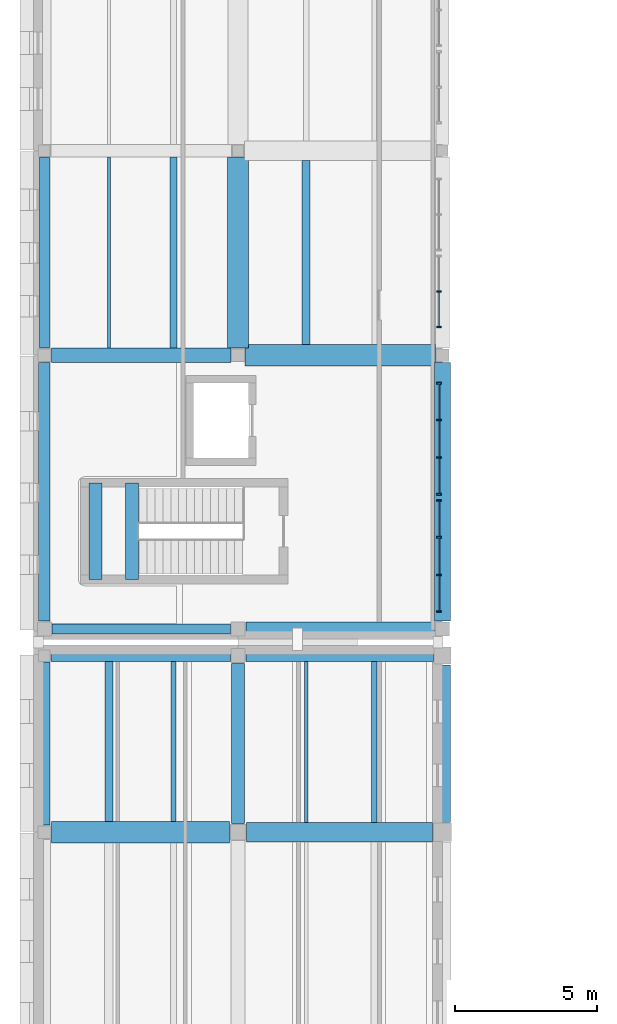
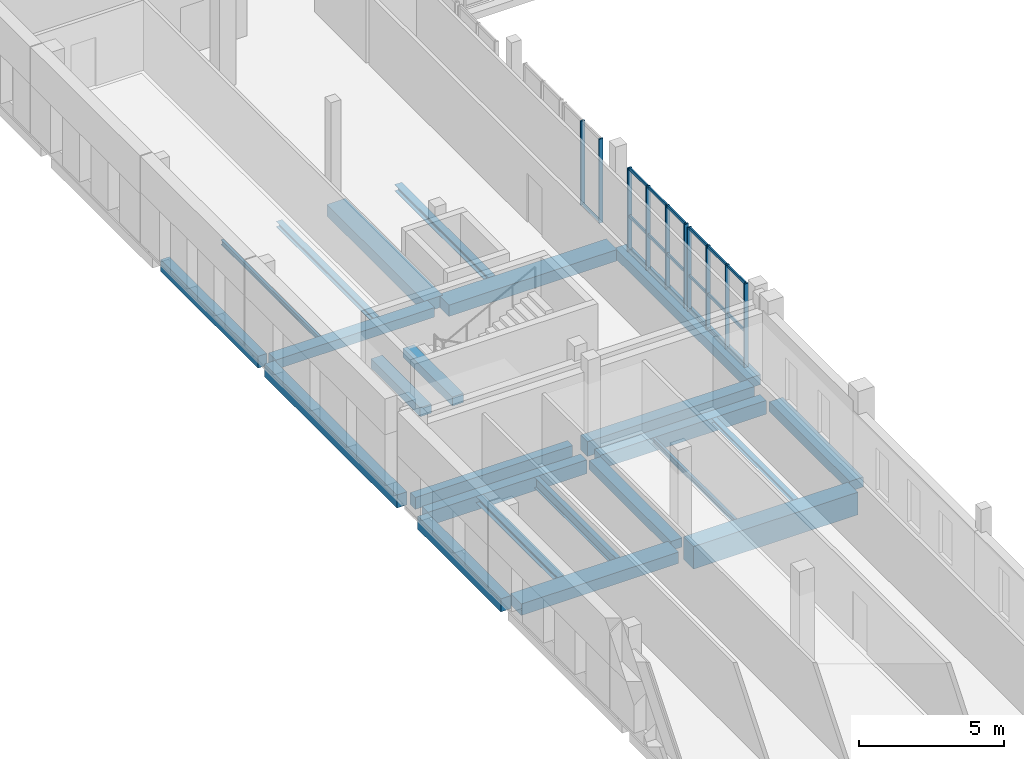
# One storey, part 22 of 76: 29 members, 24 beams, 3 elements without a shape of their own.
"""IFC4 building model written with IfcOpenShell, lengths in metres."""

from ifc_helpers import new_model, si_unit, direction, frame, origin, origin_2d, place, context, subcontext, project, spatial, rectangle, i_section, extrude, material, layer, layer_set, material_profile, profile_set, type_object, element, aggregate, save


model = new_model("IFC4")

# Units and contexts
model_context = context("Model", 3, precision=1e-05, world=origin(), true_north=direction((0.0, 1.0)))
body_context = subcontext(model_context, "Body", "Model", "MODEL_VIEW")
ifc_project = project(units=[si_unit("LENGTHUNIT", "METRE"), si_unit("AREAUNIT", "SQUARE_METRE"), si_unit("VOLUMEUNIT", "CUBIC_METRE"), si_unit("PLANEANGLEUNIT", "RADIAN"), si_unit("MASSUNIT", "GRAM", prefix="KILO")], contexts=[model_context])

# Site, building, storey
site_placement = place(None, origin())
site = spatial("IfcSite", under=ifc_project, at=site_placement, CompositionType="ELEMENT")
building_placement = place(site_placement, origin())
building = spatial("IfcBuilding", under=site, at=building_placement, Name="Vardoun Plaza Health Centre", CompositionType="ELEMENT")
storey_placement = place(building_placement, frame((0.0, 0.0, 4.5)))
storey = spatial("IfcBuildingStorey", under=building, at=storey_placement, Name="L01", CompositionType="ELEMENT", Elevation=4.5)

# Beams
ifc_material_1 = material(Name="Concrete C35/45", Category="concrete")
ifc_material_profile_1 = material_profile(ifc_material_1, rectangle(XDim=0.35009765625, YDim=0.5, at=origin_2d()), Name="RC-BM 350x500")
ifc_profile_set_1 = profile_set([ifc_material_profile_1], Name="Concrete C35/45")
beam_type_1 = type_object("IfcBeamType", Name="B-08", PredefinedType="SPANDREL", material=ifc_profile_set_1)
beam_1_placement = place(storey_placement, frame((5.155029296875, 77.06005859375, -0.514892578125), z_axis=(1.0, 0.0, 0.0), x_axis=(0.0, 1.0, 0.0)))
element("IfcBeam", 1, at=beam_1_placement, inside=storey, type_object=beam_type_1, Name="V3 L01 Beam B-V3-L01-X01", PredefinedType="SPANDREL", context=body_context, shape_type="SweptSolid", body=[
    extrude(rectangle(XDim=0.35009765625, YDim=0.5, at=origin_2d()), origin(), (0.0, 0.0, 1.0), 6.27001953125),
])
beam_2_placement = place(storey_placement, frame((4.8798828125, 86.949951171875, -0.514892578125), z_axis=(0.0, 1.0, 0.0), x_axis=(-1.0, 0.0, 0.0)))
element("IfcBeam", 2, at=beam_2_placement, inside=storey, type_object=beam_type_1, Name="V3 L01 Beam B-V3-L01-Y26", PredefinedType="SPANDREL", context=body_context, shape_type="SweptSolid", body=[
    extrude(rectangle(XDim=0.35009765625, YDim=0.5, at=origin_2d()), origin(), (0.0, 0.0, 1.0), 6.72509765625),
])
ifc_material_2 = material(Name="Concrete C35/45", Category="concrete")
ifc_material_profile_2 = material_profile(ifc_material_2, rectangle(XDim=0.39990234375, YDim=0.550048828125, at=origin_2d()), Name="RC-BM 400x550")
ifc_profile_set_2 = profile_set([ifc_material_profile_2], Name="Concrete C35/45")
beam_type_2 = type_object("IfcBeamType", Name="B-09", PredefinedType="SPANDREL", material=ifc_profile_set_2)
beam_3_placement = place(storey_placement, frame((4.8798828125, 70.150146484375, -0.554931640625), z_axis=(0.0, 1.0, 0.0), x_axis=(-1.0, 0.0, 0.0)))
element("IfcBeam", 3, at=beam_3_placement, inside=storey, type_object=beam_type_2, Name="V2 L01 Beam B-V2-L01-Y41", PredefinedType="SPANDREL", context=body_context, shape_type="SweptSolid", body=[
    extrude(rectangle(XDim=0.39990234375, YDim=0.550048828125, at=origin_2d()), origin(), (0.0, 0.0, 1.0), 5.744873046875),
])
beam_4_placement = place(storey_placement, frame((4.8798828125, 77.3349609375, -0.5400390625), z_axis=(0.0, 1.0, 0.0), x_axis=(-1.0, 0.0, 0.0)))
element("IfcBeam", 4, at=beam_4_placement, inside=storey, type_object=beam_type_2, Name="V3 L01 Beam B-V3-L01-Y25", PredefinedType="SPANDREL", context=body_context, shape_type="SweptSolid", body=[
    extrude(rectangle(XDim=0.39990234375, YDim=0.550048828125, at=origin_2d()), origin(), (0.0, 0.0, 1.0), 9.114990234375),
])
ifc_material_3 = material(Name="Concrete C35/45", Category="concrete")
ifc_material_profile_3 = material_profile(ifc_material_3, rectangle(XDim=0.419921875, YDim=0.580078125, at=origin_2d()), Name="RC-BM 420x580")
ifc_profile_set_3 = profile_set([ifc_material_profile_3], Name="Concrete C35/45")
beam_type_3 = type_object("IfcBeamType", Name="B-10", PredefinedType="SPANDREL", material=ifc_profile_set_3)
beam_5_placement = place(storey_placement, frame((5.10498046875, 76.1201171875, -0.570068359375), z_axis=(1.0, 0.0, 0.0), x_axis=(0.0, 1.0, 0.0)))
element("IfcBeam", 5, at=beam_5_placement, inside=storey, type_object=beam_type_3, Name="V2 L01 Beam B-V2-L01-X10", PredefinedType="SPANDREL", context=body_context, shape_type="SweptSolid", body=[
    extrude(rectangle(XDim=0.419921875, YDim=0.580078125, at=origin_2d()), origin(), (0.0, 0.0, 1.0), 6.320068359375),
])
beam_6_placement = place(storey_placement, frame((11.97509765625, 76.1201171875, -0.570068359375), z_axis=(1.0, 0.0, 0.0), x_axis=(0.0, 1.0, 0.0)))
element("IfcBeam", 6, at=beam_6_placement, inside=storey, type_object=beam_type_3, Name="V2 L01 Beam B-V2-L01-X20", PredefinedType="SPANDREL", context=body_context, shape_type="SweptSolid", body=[
    extrude(rectangle(XDim=0.419921875, YDim=0.580078125, at=origin_2d()), origin(), (0.0, 0.0, 1.0), 6.599853515625),
])
ifc_material_4 = material(Name="Concrete C35/45", Category="concrete")
ifc_material_profile_4 = material_profile(ifc_material_4, rectangle(XDim=0.449951171875, YDim=0.3798828125, at=origin_2d()), Name="RC-BM 450x380")
ifc_profile_set_4 = profile_set([ifc_material_profile_4], Name="Concrete C35/45")
beam_type_4 = type_object("IfcBeamType", Name="B-01", PredefinedType="BEAM", material=ifc_profile_set_4)
beam_7_placement = place(storey_placement, frame((11.699951171875, 70.199951171875, -0.469970703125), z_axis=(0.0, 1.0, 0.0), x_axis=(-1.0, 0.0, 0.0)))
element("IfcBeam", 7, at=beam_7_placement, inside=storey, type_object=beam_type_4, Name="V2 L01 Beam B-V2-L01-Y48", PredefinedType="BEAM", context=body_context, shape_type="SweptSolid", body=[
    extrude(rectangle(XDim=0.449951171875, YDim=0.3798828125, at=origin_2d()), origin(), (0.0, 0.0, 1.0), 5.64501953125),
])
for number, where, z_axis, x_axis, name in (
    (8, (6.679931640625, 78.800048828125, 1.7099609375), (0.0, 1.0, 0.0), (-1.0, 0.0, 0.0), "Stair ST-C3-L01 Landing Beam 1"),
    (9, (7.9599609375, 78.800048828125, 1.7099609375), (0.0, 1.0, 0.0), (-1.0, 0.0, 0.0), "Stair ST-C3-L01 Landing Beam 2"),
):
    element("IfcBeam", number, at=place(storey_placement, frame(where, z_axis=z_axis, x_axis=x_axis)), inside=storey, type_object=beam_type_4, Name=name, PredefinedType="BEAM", context=body_context, shape_type="SweptSolid", body=[
        extrude(rectangle(XDim=0.449951171875, YDim=0.3798828125, at=origin_2d()), origin(), (0.0, 0.0, 1.0), 3.39990234375),
    ])
ifc_material_5 = material(Name="Concrete C35/45", Category="concrete")
ifc_material_profile_5 = material_profile(ifc_material_5, rectangle(XDim=0.47998046875, YDim=0.6201171875, at=origin_2d()), Name="RC-BM 480x620")
ifc_profile_set_5 = profile_set([ifc_material_profile_5], Name="Concrete C35/45")
beam_type_5 = type_object("IfcBeamType", Name="B-12", PredefinedType="SPANDREL", material=ifc_profile_set_5)
beam_8_placement = place(storey_placement, frame((11.97509765625, 77.06005859375, -0.574951171875), z_axis=(1.0, 0.0, 0.0), x_axis=(0.0, 1.0, 0.0)))
element("IfcBeam", 10, at=beam_8_placement, inside=storey, type_object=beam_type_5, Name="V3 L01 Beam B-V3-L01-X07", PredefinedType="SPANDREL", context=body_context, shape_type="SweptSolid", body=[
    extrude(rectangle(XDim=0.47998046875, YDim=0.6201171875, at=origin_2d()), origin(), (0.0, 0.0, 1.0), 6.64990234375),
])
ifc_material_6 = material(Name="Concrete C35/45", Category="concrete")
ifc_material_profile_6 = material_profile(ifc_material_6, rectangle(XDim=0.5, YDim=0.39990234375, at=origin_2d()), Name="RC-BM 500x400")
ifc_profile_set_6 = profile_set([ifc_material_profile_6], Name="Concrete C35/45")
beam_type_6 = type_object("IfcBeamType", Name="B-02", PredefinedType="BEAM", material=ifc_profile_set_6)
beam_9_placement = place(storey_placement, frame((5.1298828125, 86.699951171875, -0.465087890625), z_axis=(1.0, 0.0, 0.0), x_axis=(0.0, 1.0, 0.0)))
element("IfcBeam", 11, at=beam_9_placement, inside=storey, type_object=beam_type_6, Name="V3 L01 Beam B-V3-L01-X02", PredefinedType="BEAM", context=body_context, shape_type="SweptSolid", body=[
    extrude(rectangle(XDim=0.5, YDim=0.39990234375, at=origin_2d()), origin(), (0.0, 0.0, 1.0), 6.320068359375),
])
ifc_material_7 = material(Name="Concrete C35/45", Category="concrete")
ifc_material_profile_7 = material_profile(ifc_material_7, rectangle(XDim=0.550048828125, YDim=0.419921875, at=origin_2d()), Name="RC-BM 550x420")
ifc_profile_set_7 = profile_set([ifc_material_profile_7], Name="Concrete C35/45")
beam_type_7 = type_object("IfcBeamType", Name="B-03", PredefinedType="BEAM", material=ifc_profile_set_7)
beam_10_placement = place(storey_placement, frame((18.89990234375, 70.25, -0.489990234375), z_axis=(0.0, 1.0, 0.0), x_axis=(-1.0, 0.0, 0.0)))
element("IfcBeam", 12, at=beam_10_placement, inside=storey, type_object=beam_type_7, Name="V2 L01 Beam B-V2-L01-Y57", PredefinedType="BEAM", context=body_context, shape_type="SweptSolid", body=[
    extrude(rectangle(XDim=0.550048828125, YDim=0.419921875, at=origin_2d()), origin(), (0.0, 0.0, 1.0), 5.544921875),
])
beam_11_placement = place(storey_placement, frame((18.89990234375, 77.3349609375, -0.47509765625), z_axis=(0.0, 1.0, 0.0), x_axis=(-1.0, 0.0, 0.0)))
element("IfcBeam", 13, at=beam_11_placement, inside=storey, type_object=beam_type_7, Name="V3 L01 Beam B-V3-L01-Y34", PredefinedType="BEAM", context=body_context, shape_type="SweptSolid", body=[
    extrude(rectangle(XDim=0.550048828125, YDim=0.419921875, at=origin_2d()), origin(), (0.0, 0.0, 1.0), 9.114990234375),
])
ifc_material_8 = material(Name="Concrete C40/50", Category="concrete")
ifc_material_profile_8 = material_profile(ifc_material_8, rectangle(XDim=0.699951171875, YDim=0.949951171875, at=origin_2d()), Name="RC-BM 700x950")
ifc_profile_set_8 = profile_set([ifc_material_profile_8], Name="Concrete C40/50")
beam_type_8 = type_object("IfcBeamType", Name="B-16", PredefinedType="LINTEL", material=ifc_profile_set_8)
beam_12_placement = place(storey_placement, frame((12.0, 69.900146484375, -0.7548828125), z_axis=(1.0, 0.0, 0.0), x_axis=(0.0, 1.0, 0.0)))
element("IfcBeam", 14, at=beam_12_placement, inside=storey, type_object=beam_type_8, Name="V2 L01 Beam B-V2-L01-X19", PredefinedType="LINTEL", context=body_context, shape_type="SweptSolid", body=[
    extrude(rectangle(XDim=0.699951171875, YDim=0.949951171875, at=origin_2d()), origin(), (0.0, 0.0, 1.0), 6.550048828125),
])
ifc_material_9 = material(Name="Concrete C35/45", Category="concrete")
ifc_material_profile_9 = material_profile(ifc_material_9, rectangle(XDim=0.75, YDim=0.47998046875, at=origin_2d()), Name="RC-BM 750x480")
ifc_profile_set_9 = profile_set([ifc_material_profile_9], Name="Concrete C35/45")
beam_type_9 = type_object("IfcBeamType", Name="B-07", PredefinedType="BEAM", material=ifc_profile_set_9)
beam_13_placement = place(storey_placement, frame((5.1298828125, 69.900146484375, -0.52001953125), z_axis=(1.0, 0.0, 0.0), x_axis=(0.0, 1.0, 0.0)))
element("IfcBeam", 15, at=beam_13_placement, inside=storey, type_object=beam_type_9, Name="V2 L01 Beam B-V2-L01-X09", PredefinedType="BEAM", context=body_context, shape_type="SweptSolid", body=[
    extrude(rectangle(XDim=0.75, YDim=0.47998046875, at=origin_2d()), origin(), (0.0, 0.0, 1.0), 6.27001953125),
])
beam_14_placement = place(storey_placement, frame((11.949951171875, 86.699951171875, -0.5048828125), z_axis=(1.0, 0.0, 0.0), x_axis=(0.0, 1.0, 0.0)))
element("IfcBeam", 16, at=beam_14_placement, inside=storey, type_object=beam_type_9, Name="V3 L01 Beam B-V3-L01-X08", PredefinedType="BEAM", context=body_context, shape_type="SweptSolid", body=[
    extrude(rectangle(XDim=0.75, YDim=0.47998046875, at=origin_2d()), origin(), (0.0, 0.0, 1.0), 6.699951171875),
])
beam_15_placement = place(storey_placement, frame((11.699951171875, 86.949951171875, -0.5048828125), z_axis=(0.0, 1.0, 0.0), x_axis=(-1.0, 0.0, 0.0)))
element("IfcBeam", 17, at=beam_15_placement, inside=storey, type_object=beam_type_9, Name="V3 L01 Beam B-V3-L01-Y30", PredefinedType="BEAM", context=body_context, shape_type="SweptSolid", body=[
    extrude(rectangle(XDim=0.75, YDim=0.47998046875, at=origin_2d()), origin(), (0.0, 0.0, 1.0), 6.72509765625),
])
ifc_material_10 = material(Name="Steel S355J2", Category="steel")
ifc_material_profile_10 = material_profile(ifc_material_10, i_section(OverallWidth=0.199951171875, OverallDepth=0.18994140625, WebThickness=0.006591796875, FlangeThickness=0.010009765625, FilletRadius=0.01806640625, at=origin_2d()), Name="HEA 200")
ifc_profile_set_10 = profile_set([ifc_material_profile_10], Name="Steel S355J2")
beam_type_10 = type_object("IfcBeamType", Name="SB-09", PredefinedType="BEAM", material=ifc_profile_set_10)
beam_16_placement = place(storey_placement, frame((16.500244140625, 70.25, -0.375), z_axis=(0.0, 1.0, 0.0), x_axis=(-1.0, 0.0, 0.0)))
element("IfcBeam", 18, at=beam_16_placement, inside=storey, type_object=beam_type_10, Name="V2 L01 Secondary Floor Beam SJ-V2-L01-28", PredefinedType="BEAM", context=body_context, shape_type="SweptSolid", body=[
    extrude(i_section(OverallWidth=0.199951171875, OverallDepth=0.18994140625, WebThickness=0.006591796875, FlangeThickness=0.010009765625, FilletRadius=0.01806640625, at=origin_2d()), origin(), (0.0, 0.0, 1.0), 5.659912109375),
])
ifc_material_11 = material(Name="Steel S355J2", Category="steel")
ifc_material_profile_11 = material_profile(ifc_material_11, i_section(OverallWidth=0.239990234375, OverallDepth=0.22998046875, WebThickness=0.007568359375, FlangeThickness=0.011962890625, FilletRadius=0.02099609375, at=origin_2d()), Name="HEA 240")
ifc_profile_set_11 = profile_set([ifc_material_profile_11], Name="Steel S355J2")
beam_type_11 = type_object("IfcBeamType", Name="SB-07", PredefinedType="BEAM", material=ifc_profile_set_11)
beam_17_placement = place(storey_placement, frame((9.427001953125, 86.949951171875, -0.3798828125), z_axis=(0.0, 1.0, 0.0), x_axis=(-1.0, 0.0, 0.0)))
element("IfcBeam", 19, at=beam_17_placement, inside=storey, type_object=beam_type_11, Name="V3 L01 Secondary Floor Beam SJ-V3-L01-05", PredefinedType="BEAM", context=body_context, shape_type="SweptSolid", body=[
    extrude(i_section(OverallWidth=0.239990234375, OverallDepth=0.22998046875, WebThickness=0.007568359375, FlangeThickness=0.011962890625, FilletRadius=0.02099609375, at=origin_2d()), origin(), (0.0, 0.0, 1.0), 6.72509765625),
])
ifc_material_12 = material(Name="Steel S355J2", Category="steel")
ifc_material_profile_12 = material_profile(ifc_material_12, i_section(OverallWidth=0.280029296875, OverallDepth=0.27001953125, WebThickness=0.008056640625, FlangeThickness=0.012939453125, FilletRadius=0.02392578125, at=origin_2d()), Name="HEA 280")
ifc_profile_set_12 = profile_set([ifc_material_profile_12], Name="Steel S355J2")
beam_type_12 = type_object("IfcBeamType", Name="SB-06", PredefinedType="BEAM", material=ifc_profile_set_12)
beam_18_placement = place(storey_placement, frame((7.153076171875, 70.275146484375, -0.4150390625), z_axis=(0.0, 1.0, 0.0), x_axis=(-1.0, 0.0, 0.0)))
element("IfcBeam", 20, at=beam_18_placement, inside=storey, type_object=beam_type_12, Name="V2 L01 Secondary Floor Beam SJ-V2-L01-07", PredefinedType="BEAM", context=body_context, shape_type="SweptSolid", body=[
    extrude(i_section(OverallWidth=0.280029296875, OverallDepth=0.27001953125, WebThickness=0.008056640625, FlangeThickness=0.012939453125, FilletRadius=0.02392578125, at=origin_2d()), origin(), (0.0, 0.0, 1.0), 5.634765625),
])
ifc_material_13 = material(Name="Steel S355J2", Category="steel")
ifc_material_profile_13 = material_profile(ifc_material_13, i_section(OverallWidth=0.280029296875, OverallDepth=0.280029296875, WebThickness=0.010498046875, FlangeThickness=0.01806640625, FilletRadius=0.02392578125, at=origin_2d()), Name="HEB 280")
ifc_profile_set_13 = profile_set([ifc_material_profile_13], Name="Steel S355J2")
beam_type_13 = type_object("IfcBeamType", Name="SB-02", PredefinedType="BEAM", material=ifc_profile_set_13)
beam_19_placement = place(storey_placement, frame((14.099853515625, 87.074951171875, -0.405029296875), z_axis=(0.0, 1.0, 0.0), x_axis=(-1.0, 0.0, 0.0)))
element("IfcBeam", 21, at=beam_19_placement, inside=storey, type_object=beam_type_13, Name="V3 L01 Secondary Floor Beam SJ-V3-L01-09", PredefinedType="BEAM", context=body_context, shape_type="SweptSolid", body=[
    extrude(i_section(OverallWidth=0.280029296875, OverallDepth=0.280029296875, WebThickness=0.010498046875, FlangeThickness=0.01806640625, FilletRadius=0.02392578125, at=origin_2d()), origin(), (0.0, 0.0, 1.0), 6.47509765625),
])
ifc_material_14 = material(Name="Steel S355J2", Category="steel")
ifc_material_profile_14 = material_profile(ifc_material_14, i_section(OverallWidth=0.10009765625, OverallDepth=0.199951171875, WebThickness=0.005615234375, FlangeThickness=0.008544921875, FilletRadius=0.011962890625, at=origin_2d()), Name="IPE 200")
ifc_profile_set_14 = profile_set([ifc_material_profile_14], Name="Steel S355J2")
beam_type_14 = type_object("IfcBeamType", Name="SB-19", PredefinedType="SPANDREL", material=ifc_profile_set_14)
beam_20_placement = place(storey_placement, frame((7.153076171875, 86.949951171875, -0.364990234375), z_axis=(0.0, 1.0, 0.0), x_axis=(-1.0, 0.0, 0.0)))
element("IfcBeam", 22, at=beam_20_placement, inside=storey, type_object=beam_type_14, Name="V3 L01 Secondary Floor Beam SJ-V3-L01-01", PredefinedType="SPANDREL", context=body_context, shape_type="SweptSolid", body=[
    extrude(i_section(OverallWidth=0.10009765625, OverallDepth=0.199951171875, WebThickness=0.005615234375, FlangeThickness=0.008544921875, FilletRadius=0.011962890625, at=origin_2d()), origin(), (0.0, 0.0, 1.0), 6.72509765625),
])
ifc_material_15 = material(Name="Steel S355J2", Category="steel")
ifc_material_profile_15 = material_profile(ifc_material_15, i_section(OverallWidth=0.110107421875, OverallDepth=0.219970703125, WebThickness=0.005859375, FlangeThickness=0.00927734375, FilletRadius=0.011962890625, at=origin_2d()), Name="IPE 220")
ifc_profile_set_15 = profile_set([ifc_material_profile_15], Name="Steel S355J2")
beam_type_15 = type_object("IfcBeamType", Name="SB-18", PredefinedType="JOIST", material=ifc_profile_set_15)
beam_21_placement = place(storey_placement, frame((14.099853515625, 70.25, -0.389892578125), z_axis=(0.0, 1.0, 0.0), x_axis=(-1.0, 0.0, 0.0)))
element("IfcBeam", 23, at=beam_21_placement, inside=storey, type_object=beam_type_15, Name="V2 L01 Secondary Floor Beam SJ-V2-L01-21", PredefinedType="JOIST", context=body_context, shape_type="SweptSolid", body=[
    extrude(i_section(OverallWidth=0.110107421875, OverallDepth=0.219970703125, WebThickness=0.005859375, FlangeThickness=0.00927734375, FilletRadius=0.011962890625, at=origin_2d()), origin(), (0.0, 0.0, 1.0), 5.659912109375),
])
ifc_material_16 = material(Name="Steel S355J2", Category="steel")
ifc_material_profile_16 = material_profile(ifc_material_16, i_section(OverallWidth=0.18994140625, OverallDepth=0.449951171875, WebThickness=0.009521484375, FlangeThickness=0.0146484375, FilletRadius=0.02099609375, at=origin_2d()), Name="IPE 450")
ifc_profile_set_16 = profile_set([ifc_material_profile_16], Name="Steel S355J2")
beam_type_16 = type_object("IfcBeamType", Name="SB-11", PredefinedType="BEAM", material=ifc_profile_set_16)
beam_22_placement = place(storey_placement, frame((9.427001953125, 70.275146484375, -0.5048828125), z_axis=(0.0, 1.0, 0.0), x_axis=(-1.0, 0.0, 0.0)))
element("IfcBeam", 24, at=beam_22_placement, inside=storey, type_object=beam_type_16, Name="V2 L01 Secondary Floor Beam SJ-V2-L01-14", PredefinedType="BEAM", context=body_context, shape_type="SweptSolid", body=[
    extrude(i_section(OverallWidth=0.18994140625, OverallDepth=0.449951171875, WebThickness=0.009521484375, FlangeThickness=0.0146484375, FilletRadius=0.02099609375, at=origin_2d()), origin(), (0.0, 0.0, 1.0), 5.634765625),
])

# Curtain wall, members
ifc_material_17 = material(Name="Aluminium Alloy EN AW-6063-T6 and Low-E Glass", Category="aluminium")
ifc_layer = layer(ifc_material_17, 0.159912109375)
ifc_layer_set = layer_set([ifc_layer], Name="Aluminium Alloy EN AW-6063-T6 and Low-E Glass")
curtain_wall_type = type_object("IfcCurtainWallType", Name="CW-02", PredefinedType="USERDEFINED", material=ifc_layer_set)
curtain_wall_1_placement = place(storey_placement, origin())
curtain_wall_1 = element("IfcCurtainWall", 25, at=curtain_wall_1_placement, inside=storey, type_object=curtain_wall_type, Name="Curtain Wall CW-V3-070", ObjectType="COURTYARD_CURTAIN_WALL", PredefinedType="USERDEFINED")
ifc_material_18 = material(Name="Aluminium Alloy EN AW-6063-T6", Category="aluminium")
ifc_material_profile_17 = material_profile(ifc_material_18, rectangle(XDim=0.159912109375, YDim=0.06005859375, at=origin_2d()), Name="CWM 60x160")
ifc_profile_set_17 = profile_set([ifc_material_profile_17], Name="Aluminium Alloy EN AW-6063-T6")
member_type_1 = type_object("IfcMemberType", Name="CW-M1", PredefinedType="MULLION", material=ifc_profile_set_17)
member_1_placement = place(storey_placement, frame((18.780029296875, 88.940185546875, 0.0), z_axis=(0.0, 0.0, 1.0), x_axis=(1.0, 0.0, 0.0)))
member_1 = element("IfcMember", 26, at=member_1_placement, type_object=member_type_1, Name="CW-V3-070 mullion 2", PredefinedType="MULLION", context=body_context, shape_type="SweptSolid", body=[
    extrude(rectangle(XDim=0.159912109375, YDim=0.06005859375, at=origin_2d()), origin(), (0.0, 0.0, 1.0), 3.5400390625),
])
member_2_placement = place(storey_placement, frame((18.780029296875, 87.690185546875, 0.0), z_axis=(0.0, 0.0, 1.0), x_axis=(1.0, 0.0, 0.0)))
member_2 = element("IfcMember", 27, at=member_2_placement, type_object=member_type_1, Name="CW-V3-070 mullion 3", PredefinedType="MULLION", context=body_context, shape_type="SweptSolid", body=[
    extrude(rectangle(XDim=0.159912109375, YDim=0.06005859375, at=origin_2d()), origin(), (0.0, 0.0, 1.0), 3.5400390625),
])

curtain_wall_2_placement = place(storey_placement, origin())
curtain_wall_2 = element("IfcCurtainWall", 28, at=curtain_wall_2_placement, inside=storey, type_object=curtain_wall_type, Name="Curtain Wall CW-V3-071", ObjectType="COURTYARD_CURTAIN_WALL", PredefinedType="USERDEFINED")
member_3_placement = place(storey_placement, frame((18.780029296875, 85.7099609375, 0.0), z_axis=(0.0, 0.0, 1.0), x_axis=(1.0, 0.0, 0.0)))
member_3 = element("IfcMember", 29, at=member_3_placement, type_object=member_type_1, Name="CW-V3-071 mullion 1", PredefinedType="MULLION", context=body_context, shape_type="SweptSolid", body=[
    extrude(rectangle(XDim=0.159912109375, YDim=0.06005859375, at=origin_2d()), origin(), (0.0, 0.0, 1.0), 3.52001953125),
])
member_4_placement = place(storey_placement, frame((18.780029296875, 84.416748046875, 0.0), z_axis=(0.0, 0.0, 1.0), x_axis=(1.0, 0.0, 0.0)))
member_4 = element("IfcMember", 30, at=member_4_placement, type_object=member_type_1, Name="CW-V3-071 mullion 2", PredefinedType="MULLION", context=body_context, shape_type="SweptSolid", body=[
    extrude(rectangle(XDim=0.159912109375, YDim=0.06005859375, at=origin_2d()), origin(), (0.0, 0.0, 1.0), 3.52001953125),
])
member_5_placement = place(storey_placement, frame((18.780029296875, 83.09326171875, 0.0), z_axis=(0.0, 0.0, 1.0), x_axis=(1.0, 0.0, 0.0)))
member_5 = element("IfcMember", 31, at=member_5_placement, type_object=member_type_1, Name="CW-V3-071 mullion 3", PredefinedType="MULLION", context=body_context, shape_type="SweptSolid", body=[
    extrude(rectangle(XDim=0.159912109375, YDim=0.06005859375, at=origin_2d()), origin(), (0.0, 0.0, 1.0), 3.52001953125),
])
member_6_placement = place(storey_placement, frame((18.780029296875, 81.800048828125, 0.0), z_axis=(0.0, 0.0, 1.0), x_axis=(1.0, 0.0, 0.0)))
member_6 = element("IfcMember", 32, at=member_6_placement, type_object=member_type_1, Name="CW-V3-071 mullion 4", PredefinedType="MULLION", context=body_context, shape_type="SweptSolid", body=[
    extrude(rectangle(XDim=0.159912109375, YDim=0.06005859375, at=origin_2d()), origin(), (0.0, 0.0, 1.0), 3.52001953125),
])

curtain_wall_3_placement = place(storey_placement, origin())
curtain_wall_3 = element("IfcCurtainWall", 33, at=curtain_wall_3_placement, inside=storey, type_object=curtain_wall_type, Name="Curtain Wall CW-V3-072", ObjectType="COURTYARD_CURTAIN_WALL", PredefinedType="USERDEFINED")
member_7_placement = place(storey_placement, frame((18.780029296875, 81.580078125, 0.0), z_axis=(0.0, 0.0, 1.0), x_axis=(1.0, 0.0, 0.0)))
member_7 = element("IfcMember", 34, at=member_7_placement, type_object=member_type_1, Name="CW-V3-072 mullion 1", PredefinedType="MULLION", context=body_context, shape_type="SweptSolid", body=[
    extrude(rectangle(XDim=0.159912109375, YDim=0.06005859375, at=origin_2d()), origin(), (0.0, 0.0, 1.0), 3.52001953125),
])
member_8_placement = place(storey_placement, frame((18.780029296875, 80.28662109375, 0.0), z_axis=(0.0, 0.0, 1.0), x_axis=(1.0, 0.0, 0.0)))
member_8 = element("IfcMember", 35, at=member_8_placement, type_object=member_type_1, Name="CW-V3-072 mullion 2", PredefinedType="MULLION", context=body_context, shape_type="SweptSolid", body=[
    extrude(rectangle(XDim=0.159912109375, YDim=0.06005859375, at=origin_2d()), origin(), (0.0, 0.0, 1.0), 3.52001953125),
])
member_9_placement = place(storey_placement, frame((18.780029296875, 78.96337890625, 0.0), z_axis=(0.0, 0.0, 1.0), x_axis=(1.0, 0.0, 0.0)))
member_9 = element("IfcMember", 36, at=member_9_placement, type_object=member_type_1, Name="CW-V3-072 mullion 3", PredefinedType="MULLION", context=body_context, shape_type="SweptSolid", body=[
    extrude(rectangle(XDim=0.159912109375, YDim=0.06005859375, at=origin_2d()), origin(), (0.0, 0.0, 1.0), 3.52001953125),
])
member_10_placement = place(storey_placement, frame((18.780029296875, 77.669921875, 0.0), z_axis=(0.0, 0.0, 1.0), x_axis=(1.0, 0.0, 0.0)))
member_10 = element("IfcMember", 37, at=member_10_placement, type_object=member_type_1, Name="CW-V3-072 mullion 4", PredefinedType="MULLION", context=body_context, shape_type="SweptSolid", body=[
    extrude(rectangle(XDim=0.159912109375, YDim=0.06005859375, at=origin_2d()), origin(), (0.0, 0.0, 1.0), 3.52001953125),
])

# Member
ifc_material_19 = material(Name="Aluminium Alloy EN AW-6063-T6", Category="aluminium")
ifc_material_profile_18 = material_profile(ifc_material_19, rectangle(XDim=0.06005859375, YDim=0.1201171875, at=origin_2d()), Name="CWT 60x120")
ifc_profile_set_18 = profile_set([ifc_material_profile_18], Name="Aluminium Alloy EN AW-6063-T6")
member_type_2 = type_object("IfcMemberType", Name="CW-T1", PredefinedType="USERDEFINED", material=ifc_profile_set_18)
member_11_placement = place(storey_placement, frame((18.780029296875, 88.909912109375, 0.030029296875), z_axis=(0.0, -1.0, 0.0), x_axis=(1.0, 0.0, 0.0)))
member_11 = element("IfcMember", 38, at=member_11_placement, type_object=member_type_2, Name="CW-V3-070 transom 2.1", ObjectType="TRANSOM", PredefinedType="USERDEFINED", context=body_context, shape_type="SweptSolid", body=[
    extrude(rectangle(XDim=0.06005859375, YDim=0.1201171875, at=origin_2d()), origin(), (0.0, 0.0, 1.0), 1.18994140625),
])

aggregate(curtain_wall_1, [member_1, member_2, member_11])

member_12_placement = place(storey_placement, frame((18.780029296875, 85.679931640625, 0.030029296875), z_axis=(0.0, -1.0, 0.0), x_axis=(1.0, 0.0, 0.0)))
member_12 = element("IfcMember", 39, at=member_12_placement, type_object=member_type_2, Name="CW-V3-071 transom 1.1", ObjectType="TRANSOM", PredefinedType="USERDEFINED", context=body_context, shape_type="SweptSolid", body=[
    extrude(rectangle(XDim=0.06005859375, YDim=0.1201171875, at=origin_2d()), origin(), (0.0, 0.0, 1.0), 1.233154296875),
])

member_13_placement = place(storey_placement, frame((18.780029296875, 85.679931640625, 1.478515625), z_axis=(0.0, -1.0, 0.0), x_axis=(1.0, 0.0, 0.0)))
member_13 = element("IfcMember", 40, at=member_13_placement, type_object=member_type_2, Name="CW-V3-071 transom 1.2", ObjectType="TRANSOM", PredefinedType="USERDEFINED", context=body_context, shape_type="SweptSolid", body=[
    extrude(rectangle(XDim=0.06005859375, YDim=0.1201171875, at=origin_2d()), origin(), (0.0, 0.0, 1.0), 1.233154296875),
])

member_14_placement = place(storey_placement, frame((18.780029296875, 85.679931640625, 3.489990234375), z_axis=(0.0, -1.0, 0.0), x_axis=(1.0, 0.0, 0.0)))
member_14 = element("IfcMember", 41, at=member_14_placement, type_object=member_type_2, Name="CW-V3-071 transom 1.3", ObjectType="TRANSOM", PredefinedType="USERDEFINED", context=body_context, shape_type="SweptSolid", body=[
    extrude(rectangle(XDim=0.06005859375, YDim=0.1201171875, at=origin_2d()), origin(), (0.0, 0.0, 1.0), 1.233154296875),
])

member_15_placement = place(storey_placement, frame((18.780029296875, 84.38671875, 0.030029296875), z_axis=(0.0, -1.0, 0.0), x_axis=(1.0, 0.0, 0.0)))
member_15 = element("IfcMember", 42, at=member_15_placement, type_object=member_type_2, Name="CW-V3-071 transom 2.1", ObjectType="TRANSOM", PredefinedType="USERDEFINED", context=body_context, shape_type="SweptSolid", body=[
    extrude(rectangle(XDim=0.06005859375, YDim=0.1201171875, at=origin_2d()), origin(), (0.0, 0.0, 1.0), 1.263427734375),
])

member_16_placement = place(storey_placement, frame((18.780029296875, 84.38671875, 1.478515625), z_axis=(0.0, -1.0, 0.0), x_axis=(1.0, 0.0, 0.0)))
member_16 = element("IfcMember", 43, at=member_16_placement, type_object=member_type_2, Name="CW-V3-071 transom 2.2", ObjectType="TRANSOM", PredefinedType="USERDEFINED", context=body_context, shape_type="SweptSolid", body=[
    extrude(rectangle(XDim=0.06005859375, YDim=0.1201171875, at=origin_2d()), origin(), (0.0, 0.0, 1.0), 1.263427734375),
])

member_17_placement = place(storey_placement, frame((18.780029296875, 84.38671875, 3.489990234375), z_axis=(0.0, -1.0, 0.0), x_axis=(1.0, 0.0, 0.0)))
member_17 = element("IfcMember", 44, at=member_17_placement, type_object=member_type_2, Name="CW-V3-071 transom 2.3", ObjectType="TRANSOM", PredefinedType="USERDEFINED", context=body_context, shape_type="SweptSolid", body=[
    extrude(rectangle(XDim=0.06005859375, YDim=0.1201171875, at=origin_2d()), origin(), (0.0, 0.0, 1.0), 1.263427734375),
])

member_18_placement = place(storey_placement, frame((18.780029296875, 83.063232421875, 0.030029296875), z_axis=(0.0, -1.0, 0.0), x_axis=(1.0, 0.0, 0.0)))
member_18 = element("IfcMember", 45, at=member_18_placement, type_object=member_type_2, Name="CW-V3-071 transom 3.1", ObjectType="TRANSOM", PredefinedType="USERDEFINED", context=body_context, shape_type="SweptSolid", body=[
    extrude(rectangle(XDim=0.06005859375, YDim=0.1201171875, at=origin_2d()), origin(), (0.0, 0.0, 1.0), 1.233154296875),
])

member_19_placement = place(storey_placement, frame((18.780029296875, 83.063232421875, 1.478515625), z_axis=(0.0, -1.0, 0.0), x_axis=(1.0, 0.0, 0.0)))
member_19 = element("IfcMember", 46, at=member_19_placement, type_object=member_type_2, Name="CW-V3-071 transom 3.2", ObjectType="TRANSOM", PredefinedType="USERDEFINED", context=body_context, shape_type="SweptSolid", body=[
    extrude(rectangle(XDim=0.06005859375, YDim=0.1201171875, at=origin_2d()), origin(), (0.0, 0.0, 1.0), 1.233154296875),
])

member_20_placement = place(storey_placement, frame((18.780029296875, 83.063232421875, 3.489990234375), z_axis=(0.0, -1.0, 0.0), x_axis=(1.0, 0.0, 0.0)))
member_20 = element("IfcMember", 47, at=member_20_placement, type_object=member_type_2, Name="CW-V3-071 transom 3.3", ObjectType="TRANSOM", PredefinedType="USERDEFINED", context=body_context, shape_type="SweptSolid", body=[
    extrude(rectangle(XDim=0.06005859375, YDim=0.1201171875, at=origin_2d()), origin(), (0.0, 0.0, 1.0), 1.233154296875),
])

aggregate(curtain_wall_2, [member_3, member_4, member_5, member_6, member_12, member_13, member_14, member_15, member_16, member_17, member_18, member_19, member_20])

member_21_placement = place(storey_placement, frame((18.780029296875, 81.550048828125, 0.030029296875), z_axis=(0.0, -1.0, 0.0), x_axis=(1.0, 0.0, 0.0)))
member_21 = element("IfcMember", 48, at=member_21_placement, type_object=member_type_2, Name="CW-V3-072 transom 1.1", ObjectType="TRANSOM", PredefinedType="USERDEFINED", context=body_context, shape_type="SweptSolid", body=[
    extrude(rectangle(XDim=0.06005859375, YDim=0.1201171875, at=origin_2d()), origin(), (0.0, 0.0, 1.0), 1.2333984375),
])

member_22_placement = place(storey_placement, frame((18.780029296875, 81.550048828125, 1.478515625), z_axis=(0.0, -1.0, 0.0), x_axis=(1.0, 0.0, 0.0)))
member_22 = element("IfcMember", 49, at=member_22_placement, type_object=member_type_2, Name="CW-V3-072 transom 1.2", ObjectType="TRANSOM", PredefinedType="USERDEFINED", context=body_context, shape_type="SweptSolid", body=[
    extrude(rectangle(XDim=0.06005859375, YDim=0.1201171875, at=origin_2d()), origin(), (0.0, 0.0, 1.0), 1.2333984375),
])

member_23_placement = place(storey_placement, frame((18.780029296875, 81.550048828125, 3.489990234375), z_axis=(0.0, -1.0, 0.0), x_axis=(1.0, 0.0, 0.0)))
member_23 = element("IfcMember", 50, at=member_23_placement, type_object=member_type_2, Name="CW-V3-072 transom 1.3", ObjectType="TRANSOM", PredefinedType="USERDEFINED", context=body_context, shape_type="SweptSolid", body=[
    extrude(rectangle(XDim=0.06005859375, YDim=0.1201171875, at=origin_2d()), origin(), (0.0, 0.0, 1.0), 1.2333984375),
])

member_24_placement = place(storey_placement, frame((18.780029296875, 80.256591796875, 0.030029296875), z_axis=(0.0, -1.0, 0.0), x_axis=(1.0, 0.0, 0.0)))
member_24 = element("IfcMember", 51, at=member_24_placement, type_object=member_type_2, Name="CW-V3-072 transom 2.1", ObjectType="TRANSOM", PredefinedType="USERDEFINED", context=body_context, shape_type="SweptSolid", body=[
    extrude(rectangle(XDim=0.06005859375, YDim=0.1201171875, at=origin_2d()), origin(), (0.0, 0.0, 1.0), 1.26318359375),
])

member_25_placement = place(storey_placement, frame((18.780029296875, 80.256591796875, 1.478515625), z_axis=(0.0, -1.0, 0.0), x_axis=(1.0, 0.0, 0.0)))
member_25 = element("IfcMember", 52, at=member_25_placement, type_object=member_type_2, Name="CW-V3-072 transom 2.2", ObjectType="TRANSOM", PredefinedType="USERDEFINED", context=body_context, shape_type="SweptSolid", body=[
    extrude(rectangle(XDim=0.06005859375, YDim=0.1201171875, at=origin_2d()), origin(), (0.0, 0.0, 1.0), 1.26318359375),
])

member_26_placement = place(storey_placement, frame((18.780029296875, 80.256591796875, 3.489990234375), z_axis=(0.0, -1.0, 0.0), x_axis=(1.0, 0.0, 0.0)))
member_26 = element("IfcMember", 53, at=member_26_placement, type_object=member_type_2, Name="CW-V3-072 transom 2.3", ObjectType="TRANSOM", PredefinedType="USERDEFINED", context=body_context, shape_type="SweptSolid", body=[
    extrude(rectangle(XDim=0.06005859375, YDim=0.1201171875, at=origin_2d()), origin(), (0.0, 0.0, 1.0), 1.26318359375),
])

member_27_placement = place(storey_placement, frame((18.780029296875, 78.933349609375, 0.030029296875), z_axis=(0.0, -1.0, 0.0), x_axis=(1.0, 0.0, 0.0)))
member_27 = element("IfcMember", 54, at=member_27_placement, type_object=member_type_2, Name="CW-V3-072 transom 3.1", ObjectType="TRANSOM", PredefinedType="USERDEFINED", context=body_context, shape_type="SweptSolid", body=[
    extrude(rectangle(XDim=0.06005859375, YDim=0.1201171875, at=origin_2d()), origin(), (0.0, 0.0, 1.0), 1.2333984375),
])

member_28_placement = place(storey_placement, frame((18.780029296875, 78.933349609375, 1.478515625), z_axis=(0.0, -1.0, 0.0), x_axis=(1.0, 0.0, 0.0)))
member_28 = element("IfcMember", 55, at=member_28_placement, type_object=member_type_2, Name="CW-V3-072 transom 3.2", ObjectType="TRANSOM", PredefinedType="USERDEFINED", context=body_context, shape_type="SweptSolid", body=[
    extrude(rectangle(XDim=0.06005859375, YDim=0.1201171875, at=origin_2d()), origin(), (0.0, 0.0, 1.0), 1.2333984375),
])

member_29_placement = place(storey_placement, frame((18.780029296875, 78.933349609375, 3.489990234375), z_axis=(0.0, -1.0, 0.0), x_axis=(1.0, 0.0, 0.0)))
member_29 = element("IfcMember", 56, at=member_29_placement, type_object=member_type_2, Name="CW-V3-072 transom 3.3", ObjectType="TRANSOM", PredefinedType="USERDEFINED", context=body_context, shape_type="SweptSolid", body=[
    extrude(rectangle(XDim=0.06005859375, YDim=0.1201171875, at=origin_2d()), origin(), (0.0, 0.0, 1.0), 1.2333984375),
])

aggregate(curtain_wall_3, [member_7, member_8, member_9, member_10, member_21, member_22, member_23, member_24, member_25, member_26, member_27, member_28, member_29])

save(model, "model.ifc")
